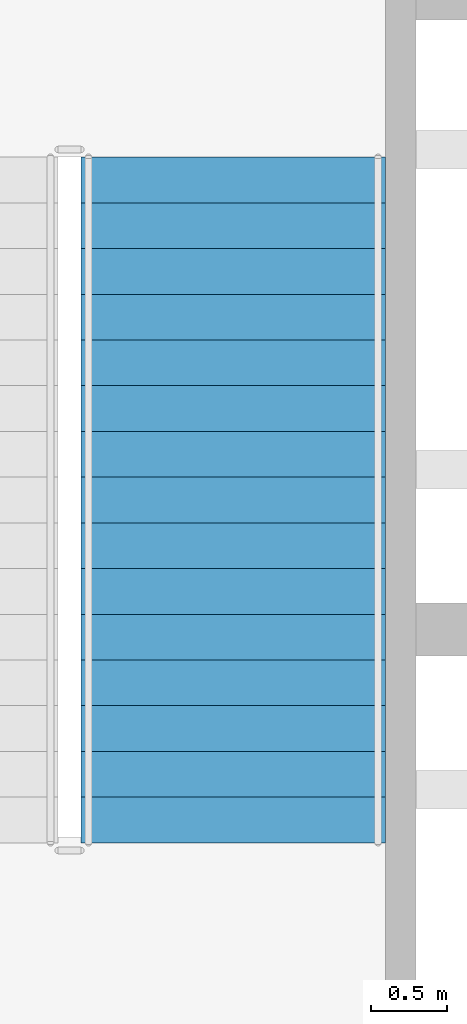
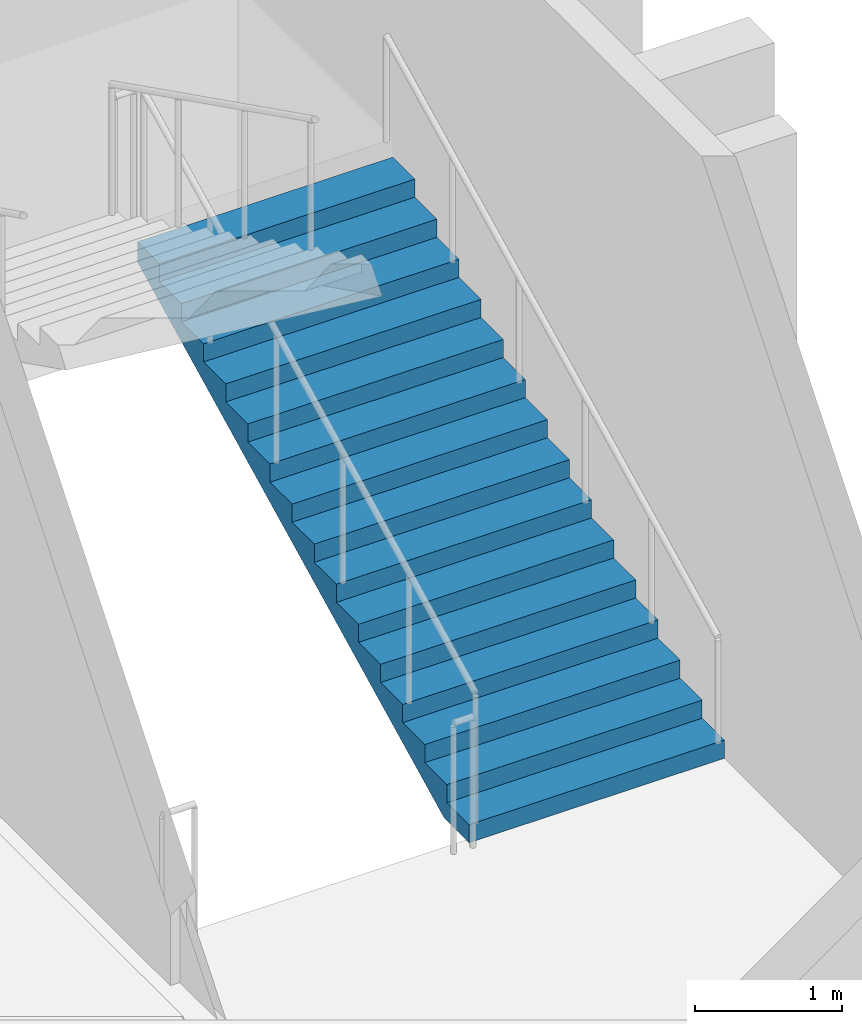
# One storey, part 57 of 91: 1 stair flight, 1 element without a shape of its own.
"""IFC4 building model written with IfcOpenShell, lengths in metres."""

from ifc_helpers import new_model, si_unit, direction, frame, origin, place, context, subcontext, project, spatial, faceted_brep, material, type_object, element, aggregate, save


model = new_model("IFC4")

# Units and contexts
model_context = context("Model", 3, precision=1e-05, world=origin(), true_north=direction((0.0, 1.0)))
body_context = subcontext(model_context, "Body", "Model", "MODEL_VIEW")
ifc_project = project(units=[si_unit("LENGTHUNIT", "METRE"), si_unit("AREAUNIT", "SQUARE_METRE"), si_unit("VOLUMEUNIT", "CUBIC_METRE"), si_unit("PLANEANGLEUNIT", "RADIAN"), si_unit("MASSUNIT", "GRAM", prefix="KILO")], contexts=[model_context])

# Site, building, storey
site_placement = place(None, origin())
site = spatial("IfcSite", under=ifc_project, at=site_placement, CompositionType="ELEMENT")
building_placement = place(site_placement, origin())
building = spatial("IfcBuilding", under=site, at=building_placement, Name="Kiln Court Media Centre", CompositionType="ELEMENT")
storey_placement = place(building_placement, frame((0.0, 0.0, 5.39990234375)))
storey = spatial("IfcBuildingStorey", under=building, at=storey_placement, Name="L01", CompositionType="ELEMENT", Elevation=5.39990234375)

# Stair, stair flight
ifc_material_1 = material(Name="Concrete C40/50", Category="concrete")
stair_type = type_object("IfcStairType", Name="Concrete C40/50 dog-leg stair 2000 wide, 150 riser", PredefinedType="HALF_TURN_STAIR", material=ifc_material_1)
stair_placement = place(storey_placement, origin())
stair = element("IfcStair", 1, at=stair_placement, inside=storey, type_object=stair_type, Name="ST-10 L01", PredefinedType="HALF_TURN_STAIR")
ifc_material_2 = material(Name="Concrete C40/50", Category="concrete")
stair_flight_type = type_object("IfcStairFlightType", Name="Concrete C40/50 stair flight 2000 wide, 150 riser, 300 going", PredefinedType="STRAIGHT", material=ifc_material_2)
stair_flight_placement = place(storey_placement, frame((99.60009765625, 28.0, 0.0), z_axis=(0.0, 0.0, 1.0), x_axis=(0.0, 1.0, 0.0)))
stair_flight = element("IfcStairFlight", 2, at=stair_flight_placement, type_object=stair_flight_type, Name="L01-ST-5009 flight 5018", NumberOfRisers=16, NumberOfTreads=15, PredefinedType="STRAIGHT", RiserHeight=0.15, TreadLength=0.3, context=body_context, shape_type="Brep", body=[
    faceted_brep([(0.335205078125, -1.0, 0.0), (4.5, -1.0, 2.08251953125), (4.5, -1.0, 2.25), (4.199951171875, -1.0, 2.25), (4.199951171875, -1.0, 2.10009765625), (3.89990234375, -1.0, 2.10009765625), (3.89990234375, -1.0, 1.949951171875), (3.60009765625, -1.0, 1.949951171875), (3.60009765625, -1.0, 1.800048828125), (3.300048828125, -1.0, 1.800048828125), (3.300048828125, -1.0, 1.64990234375), (3.0, -1.0, 1.64990234375), (3.0, -1.0, 1.5), (2.699951171875, -1.0, 1.5), (2.699951171875, -1.0, 1.35009765625), (2.39990234375, -1.0, 1.35009765625), (2.39990234375, -1.0, 1.199951171875), (2.10009765625, -1.0, 1.199951171875), (2.10009765625, -1.0, 1.050048828125), (1.800048828125, -1.0, 1.050048828125), (1.800048828125, -1.0, 0.89990234375), (1.5, -1.0, 0.89990234375), (1.5, -1.0, 0.75), (1.199951171875, -1.0, 0.75), (1.199951171875, -1.0, 0.60009765625), (0.89990234375, -1.0, 0.60009765625), (0.89990234375, -1.0, 0.449951171875), (0.60009765625, -1.0, 0.449951171875), (0.60009765625, -1.0, 0.300048828125), (0.300048828125, -1.0, 0.300048828125), (0.300048828125, -1.0, 0.14990234375), (0.0, -1.0, 0.14990234375), (0.0, -1.0, 0.0), (0.0, 1.0, 0.0), (0.0, 1.0, 0.14990234375), (0.300048828125, 1.0, 0.14990234375), (0.300048828125, 1.0, 0.300048828125), (0.60009765625, 1.0, 0.300048828125), (0.60009765625, 1.0, 0.449951171875), (0.89990234375, 1.0, 0.449951171875), (0.89990234375, 1.0, 0.60009765625), (1.199951171875, 1.0, 0.60009765625), (1.199951171875, 1.0, 0.75), (1.5, 1.0, 0.75), (1.5, 1.0, 0.89990234375), (1.800048828125, 1.0, 0.89990234375), (1.800048828125, 1.0, 1.050048828125), (2.10009765625, 1.0, 1.050048828125), (2.10009765625, 1.0, 1.199951171875), (2.39990234375, 1.0, 1.199951171875), (2.39990234375, 1.0, 1.35009765625), (2.699951171875, 1.0, 1.35009765625), (2.699951171875, 1.0, 1.5), (3.0, 1.0, 1.5), (3.0, 1.0, 1.64990234375), (3.300048828125, 1.0, 1.64990234375), (3.300048828125, 1.0, 1.800048828125), (3.60009765625, 1.0, 1.800048828125), (3.60009765625, 1.0, 1.949951171875), (3.89990234375, 1.0, 1.949951171875), (3.89990234375, 1.0, 2.10009765625), (4.199951171875, 1.0, 2.10009765625), (4.199951171875, 1.0, 2.25), (4.5, 1.0, 2.25), (4.5, 1.0, 2.08251953125), (0.335205078125, 1.0, 0.0), (4.5, 0.10009765625, 2.08251953125), (0.335205078125, 0.10009765625, 0.0), (4.5, 0.080078125, 2.08251953125), (0.335205078125, 0.080078125, 0.0), (4.5, 0.06005859375, 2.08251953125), (0.335205078125, 0.06005859375, 0.0), (4.5, 0.0400390625, 2.08251953125), (0.335205078125, 0.0400390625, 0.0), (4.5, 0.02001953125, 2.08251953125), (0.335205078125, 0.02001953125, 0.0), (4.5, 0.0, 2.08251953125), (0.335205078125, 0.0, 0.0), (4.5, -0.02001953125, 2.08251953125), (0.335205078125, -0.02001953125, 0.0), (4.5, -0.0400390625, 2.08251953125), (0.335205078125, -0.0400390625, 0.0), (4.5, -0.06005859375, 2.08251953125), (0.335205078125, -0.06005859375, 0.0), (4.5, -0.080078125, 2.08251953125), (0.335205078125, -0.080078125, 0.0), (4.5, -0.10009765625, 2.08251953125), (0.335205078125, -0.10009765625, 0.0), (4.5, 0.10009765625, 2.25), (4.5, 0.080078125, 2.25), (4.5, 0.06005859375, 2.25), (4.5, 0.0400390625, 2.25), (4.5, 0.02001953125, 2.25), (4.5, 0.0, 2.25), (4.5, -0.02001953125, 2.25), (4.5, -0.0400390625, 2.25), (4.5, -0.06005859375, 2.25), (4.5, -0.080078125, 2.25), (4.5, -0.10009765625, 2.25), (4.199951171875, 0.10009765625, 2.25), (4.199951171875, 0.080078125, 2.25), (4.199951171875, 0.06005859375, 2.25), (4.199951171875, 0.0400390625, 2.25), (4.199951171875, 0.02001953125, 2.25), (4.199951171875, 0.0, 2.25), (4.199951171875, -0.02001953125, 2.25), (4.199951171875, -0.0400390625, 2.25), (4.199951171875, -0.06005859375, 2.25), (4.199951171875, -0.080078125, 2.25), (4.199951171875, -0.10009765625, 2.25), (4.199951171875, 0.10009765625, 2.10009765625), (4.199951171875, 0.080078125, 2.10009765625), (4.199951171875, 0.06005859375, 2.10009765625), (4.199951171875, 0.0400390625, 2.10009765625), (4.199951171875, 0.02001953125, 2.10009765625), (4.199951171875, 0.0, 2.10009765625), (4.199951171875, -0.02001953125, 2.10009765625), (4.199951171875, -0.0400390625, 2.10009765625), (4.199951171875, -0.06005859375, 2.10009765625), (4.199951171875, -0.080078125, 2.10009765625), (4.199951171875, -0.10009765625, 2.10009765625), (3.89990234375, 0.10009765625, 2.10009765625), (3.89990234375, 0.080078125, 2.10009765625), (3.89990234375, 0.06005859375, 2.10009765625), (3.89990234375, 0.0400390625, 2.10009765625), (3.89990234375, 0.02001953125, 2.10009765625), (3.89990234375, 0.0, 2.10009765625), (3.89990234375, -0.02001953125, 2.10009765625), (3.89990234375, -0.0400390625, 2.10009765625), (3.89990234375, -0.06005859375, 2.10009765625), (3.89990234375, -0.080078125, 2.10009765625), (3.89990234375, -0.10009765625, 2.10009765625), (3.89990234375, 0.10009765625, 1.949951171875), (3.89990234375, 0.080078125, 1.949951171875), (3.89990234375, 0.06005859375, 1.949951171875), (3.89990234375, 0.0400390625, 1.949951171875), (3.89990234375, 0.02001953125, 1.949951171875), (3.89990234375, 0.0, 1.949951171875), (3.89990234375, -0.02001953125, 1.949951171875), (3.89990234375, -0.0400390625, 1.949951171875), (3.89990234375, -0.06005859375, 1.949951171875), (3.89990234375, -0.080078125, 1.949951171875), (3.89990234375, -0.10009765625, 1.949951171875), (3.60009765625, 0.10009765625, 1.949951171875), (3.60009765625, 0.080078125, 1.949951171875), (3.60009765625, 0.06005859375, 1.949951171875), (3.60009765625, 0.0400390625, 1.949951171875), (3.60009765625, 0.02001953125, 1.949951171875), (3.60009765625, 0.0, 1.949951171875), (3.60009765625, -0.02001953125, 1.949951171875), (3.60009765625, -0.0400390625, 1.949951171875), (3.60009765625, -0.06005859375, 1.949951171875), (3.60009765625, -0.080078125, 1.949951171875), (3.60009765625, -0.10009765625, 1.949951171875), (3.60009765625, 0.10009765625, 1.800048828125), (3.60009765625, 0.080078125, 1.800048828125), (3.60009765625, 0.06005859375, 1.800048828125), (3.60009765625, 0.0400390625, 1.800048828125), (3.60009765625, 0.02001953125, 1.800048828125), (3.60009765625, 0.0, 1.800048828125), (3.60009765625, -0.02001953125, 1.800048828125), (3.60009765625, -0.0400390625, 1.800048828125), (3.60009765625, -0.06005859375, 1.800048828125), (3.60009765625, -0.080078125, 1.800048828125), (3.60009765625, -0.10009765625, 1.800048828125), (3.300048828125, 0.10009765625, 1.800048828125), (3.300048828125, 0.080078125, 1.800048828125), (3.300048828125, 0.06005859375, 1.800048828125), (3.300048828125, 0.0400390625, 1.800048828125), (3.300048828125, 0.02001953125, 1.800048828125), (3.300048828125, 0.0, 1.800048828125), (3.300048828125, -0.02001953125, 1.800048828125), (3.300048828125, -0.0400390625, 1.800048828125), (3.300048828125, -0.06005859375, 1.800048828125), (3.300048828125, -0.080078125, 1.800048828125), (3.300048828125, -0.10009765625, 1.800048828125), (3.300048828125, 0.10009765625, 1.64990234375), (3.300048828125, 0.080078125, 1.64990234375), (3.300048828125, 0.06005859375, 1.64990234375), (3.300048828125, 0.0400390625, 1.64990234375), (3.300048828125, 0.02001953125, 1.64990234375), (3.300048828125, 0.0, 1.64990234375), (3.300048828125, -0.02001953125, 1.64990234375), (3.300048828125, -0.0400390625, 1.64990234375), (3.300048828125, -0.06005859375, 1.64990234375), (3.300048828125, -0.080078125, 1.64990234375), (3.300048828125, -0.10009765625, 1.64990234375), (3.0, 0.10009765625, 1.64990234375), (3.0, 0.080078125, 1.64990234375), (3.0, 0.06005859375, 1.64990234375), (3.0, 0.0400390625, 1.64990234375), (3.0, 0.02001953125, 1.64990234375), (3.0, 0.0, 1.64990234375), (3.0, -0.02001953125, 1.64990234375), (3.0, -0.0400390625, 1.64990234375), (3.0, -0.06005859375, 1.64990234375), (3.0, -0.080078125, 1.64990234375), (3.0, -0.10009765625, 1.64990234375), (3.0, 0.10009765625, 1.5), (3.0, 0.080078125, 1.5), (3.0, 0.06005859375, 1.5), (3.0, 0.0400390625, 1.5), (3.0, 0.02001953125, 1.5), (3.0, 0.0, 1.5), (3.0, -0.02001953125, 1.5), (3.0, -0.0400390625, 1.5), (3.0, -0.06005859375, 1.5), (3.0, -0.080078125, 1.5), (3.0, -0.10009765625, 1.5), (2.699951171875, 0.10009765625, 1.5), (2.699951171875, 0.080078125, 1.5), (2.699951171875, 0.06005859375, 1.5), (2.699951171875, 0.0400390625, 1.5), (2.699951171875, 0.02001953125, 1.5), (2.699951171875, 0.0, 1.5), (2.699951171875, -0.02001953125, 1.5), (2.699951171875, -0.0400390625, 1.5), (2.699951171875, -0.06005859375, 1.5), (2.699951171875, -0.080078125, 1.5), (2.699951171875, -0.10009765625, 1.5), (2.699951171875, 0.10009765625, 1.35009765625), (2.699951171875, 0.080078125, 1.35009765625), (2.699951171875, 0.06005859375, 1.35009765625), (2.699951171875, 0.0400390625, 1.35009765625), (2.699951171875, 0.02001953125, 1.35009765625), (2.699951171875, 0.0, 1.35009765625), (2.699951171875, -0.02001953125, 1.35009765625), (2.699951171875, -0.0400390625, 1.35009765625), (2.699951171875, -0.06005859375, 1.35009765625), (2.699951171875, -0.080078125, 1.35009765625), (2.699951171875, -0.10009765625, 1.35009765625), (2.39990234375, 0.10009765625, 1.35009765625), (2.39990234375, 0.080078125, 1.35009765625), (2.39990234375, 0.06005859375, 1.35009765625), (2.39990234375, 0.0400390625, 1.35009765625), (2.39990234375, 0.02001953125, 1.35009765625), (2.39990234375, 0.0, 1.35009765625), (2.39990234375, -0.02001953125, 1.35009765625), (2.39990234375, -0.0400390625, 1.35009765625), (2.39990234375, -0.06005859375, 1.35009765625), (2.39990234375, -0.080078125, 1.35009765625), (2.39990234375, -0.10009765625, 1.35009765625), (2.39990234375, 0.10009765625, 1.199951171875), (2.39990234375, 0.080078125, 1.199951171875), (2.39990234375, 0.06005859375, 1.199951171875), (2.39990234375, 0.0400390625, 1.199951171875), (2.39990234375, 0.02001953125, 1.199951171875), (2.39990234375, 0.0, 1.199951171875), (2.39990234375, -0.02001953125, 1.199951171875), (2.39990234375, -0.0400390625, 1.199951171875), (2.39990234375, -0.06005859375, 1.199951171875), (2.39990234375, -0.080078125, 1.199951171875), (2.39990234375, -0.10009765625, 1.199951171875), (2.10009765625, 0.10009765625, 1.199951171875), (2.10009765625, 0.080078125, 1.199951171875), (2.10009765625, 0.06005859375, 1.199951171875), (2.10009765625, 0.0400390625, 1.199951171875), (2.10009765625, 0.02001953125, 1.199951171875), (2.10009765625, 0.0, 1.199951171875), (2.10009765625, -0.02001953125, 1.199951171875), (2.10009765625, -0.0400390625, 1.199951171875), (2.10009765625, -0.06005859375, 1.199951171875), (2.10009765625, -0.080078125, 1.199951171875), (2.10009765625, -0.10009765625, 1.199951171875), (2.10009765625, 0.10009765625, 1.050048828125), (2.10009765625, 0.080078125, 1.050048828125), (2.10009765625, 0.06005859375, 1.050048828125), (2.10009765625, 0.0400390625, 1.050048828125), (2.10009765625, 0.02001953125, 1.050048828125), (2.10009765625, 0.0, 1.050048828125), (2.10009765625, -0.02001953125, 1.050048828125), (2.10009765625, -0.0400390625, 1.050048828125), (2.10009765625, -0.06005859375, 1.050048828125), (2.10009765625, -0.080078125, 1.050048828125), (2.10009765625, -0.10009765625, 1.050048828125), (1.800048828125, 0.10009765625, 1.050048828125), (1.800048828125, 0.080078125, 1.050048828125), (1.800048828125, 0.06005859375, 1.050048828125), (1.800048828125, 0.0400390625, 1.050048828125), (1.800048828125, 0.02001953125, 1.050048828125), (1.800048828125, 0.0, 1.050048828125), (1.800048828125, -0.02001953125, 1.050048828125), (1.800048828125, -0.0400390625, 1.050048828125), (1.800048828125, -0.06005859375, 1.050048828125), (1.800048828125, -0.080078125, 1.050048828125), (1.800048828125, -0.10009765625, 1.050048828125), (1.800048828125, 0.10009765625, 0.89990234375), (1.800048828125, 0.080078125, 0.89990234375), (1.800048828125, 0.06005859375, 0.89990234375), (1.800048828125, 0.0400390625, 0.89990234375), (1.800048828125, 0.02001953125, 0.89990234375), (1.800048828125, 0.0, 0.89990234375), (1.800048828125, -0.02001953125, 0.89990234375), (1.800048828125, -0.0400390625, 0.89990234375), (1.800048828125, -0.06005859375, 0.89990234375), (1.800048828125, -0.080078125, 0.89990234375), (1.800048828125, -0.10009765625, 0.89990234375), (1.5, 0.10009765625, 0.89990234375), (1.5, 0.080078125, 0.89990234375), (1.5, 0.06005859375, 0.89990234375), (1.5, 0.0400390625, 0.89990234375), (1.5, 0.02001953125, 0.89990234375), (1.5, 0.0, 0.89990234375), (1.5, -0.02001953125, 0.89990234375), (1.5, -0.0400390625, 0.89990234375), (1.5, -0.06005859375, 0.89990234375), (1.5, -0.080078125, 0.89990234375), (1.5, -0.10009765625, 0.89990234375), (1.5, 0.10009765625, 0.75), (1.5, 0.080078125, 0.75), (1.5, 0.06005859375, 0.75), (1.5, 0.0400390625, 0.75), (1.5, 0.02001953125, 0.75), (1.5, 0.0, 0.75), (1.5, -0.02001953125, 0.75), (1.5, -0.0400390625, 0.75), (1.5, -0.06005859375, 0.75), (1.5, -0.080078125, 0.75), (1.5, -0.10009765625, 0.75), (1.199951171875, 0.10009765625, 0.75), (1.199951171875, 0.080078125, 0.75), (1.199951171875, 0.06005859375, 0.75), (1.199951171875, 0.0400390625, 0.75), (1.199951171875, 0.02001953125, 0.75), (1.199951171875, 0.0, 0.75), (1.199951171875, -0.02001953125, 0.75), (1.199951171875, -0.0400390625, 0.75), (1.199951171875, -0.06005859375, 0.75), (1.199951171875, -0.080078125, 0.75), (1.199951171875, -0.10009765625, 0.75), (1.199951171875, 0.10009765625, 0.60009765625), (1.199951171875, 0.080078125, 0.60009765625), (1.199951171875, 0.06005859375, 0.60009765625), (1.199951171875, 0.0400390625, 0.60009765625), (1.199951171875, 0.02001953125, 0.60009765625), (1.199951171875, 0.0, 0.60009765625), (1.199951171875, -0.02001953125, 0.60009765625), (1.199951171875, -0.0400390625, 0.60009765625), (1.199951171875, -0.06005859375, 0.60009765625), (1.199951171875, -0.080078125, 0.60009765625), (1.199951171875, -0.10009765625, 0.60009765625), (0.89990234375, 0.10009765625, 0.60009765625), (0.89990234375, 0.080078125, 0.60009765625), (0.89990234375, 0.06005859375, 0.60009765625), (0.89990234375, 0.0400390625, 0.60009765625), (0.89990234375, 0.02001953125, 0.60009765625), (0.89990234375, 0.0, 0.60009765625), (0.89990234375, -0.02001953125, 0.60009765625), (0.89990234375, -0.0400390625, 0.60009765625), (0.89990234375, -0.06005859375, 0.60009765625), (0.89990234375, -0.080078125, 0.60009765625), (0.89990234375, -0.10009765625, 0.60009765625), (0.89990234375, 0.10009765625, 0.449951171875), (0.89990234375, 0.080078125, 0.449951171875), (0.89990234375, 0.06005859375, 0.449951171875), (0.89990234375, 0.0400390625, 0.449951171875), (0.89990234375, 0.02001953125, 0.449951171875), (0.89990234375, 0.0, 0.449951171875), (0.89990234375, -0.02001953125, 0.449951171875), (0.89990234375, -0.0400390625, 0.449951171875), (0.89990234375, -0.06005859375, 0.449951171875), (0.89990234375, -0.080078125, 0.449951171875), (0.89990234375, -0.10009765625, 0.449951171875), (0.60009765625, 0.10009765625, 0.449951171875), (0.60009765625, 0.080078125, 0.449951171875), (0.60009765625, 0.06005859375, 0.449951171875), (0.60009765625, 0.0400390625, 0.449951171875), (0.60009765625, 0.02001953125, 0.449951171875), (0.60009765625, 0.0, 0.449951171875), (0.60009765625, -0.02001953125, 0.449951171875), (0.60009765625, -0.0400390625, 0.449951171875), (0.60009765625, -0.06005859375, 0.449951171875), (0.60009765625, -0.080078125, 0.449951171875), (0.60009765625, -0.10009765625, 0.449951171875), (0.60009765625, 0.10009765625, 0.300048828125), (0.60009765625, 0.080078125, 0.300048828125), (0.60009765625, 0.06005859375, 0.300048828125), (0.60009765625, 0.0400390625, 0.300048828125), (0.60009765625, 0.02001953125, 0.300048828125), (0.60009765625, 0.0, 0.300048828125), (0.60009765625, -0.02001953125, 0.300048828125), (0.60009765625, -0.0400390625, 0.300048828125), (0.60009765625, -0.06005859375, 0.300048828125), (0.60009765625, -0.080078125, 0.300048828125), (0.60009765625, -0.10009765625, 0.300048828125), (0.300048828125, 0.10009765625, 0.300048828125), (0.300048828125, 0.080078125, 0.300048828125), (0.300048828125, 0.06005859375, 0.300048828125), (0.300048828125, 0.0400390625, 0.300048828125), (0.300048828125, 0.02001953125, 0.300048828125), (0.300048828125, 0.0, 0.300048828125), (0.300048828125, -0.02001953125, 0.300048828125), (0.300048828125, -0.0400390625, 0.300048828125), (0.300048828125, -0.06005859375, 0.300048828125), (0.300048828125, -0.080078125, 0.300048828125), (0.300048828125, -0.10009765625, 0.300048828125), (0.300048828125, 0.10009765625, 0.14990234375), (0.300048828125, 0.080078125, 0.14990234375), (0.300048828125, 0.06005859375, 0.14990234375), (0.300048828125, 0.0400390625, 0.14990234375), (0.300048828125, 0.02001953125, 0.14990234375), (0.300048828125, 0.0, 0.14990234375), (0.300048828125, -0.02001953125, 0.14990234375), (0.300048828125, -0.0400390625, 0.14990234375), (0.300048828125, -0.06005859375, 0.14990234375), (0.300048828125, -0.080078125, 0.14990234375), (0.300048828125, -0.10009765625, 0.14990234375), (0.0, 0.10009765625, 0.14990234375), (0.0, 0.080078125, 0.14990234375), (0.0, 0.06005859375, 0.14990234375), (0.0, 0.0400390625, 0.14990234375), (0.0, 0.02001953125, 0.14990234375), (0.0, 0.0, 0.14990234375), (0.0, -0.02001953125, 0.14990234375), (0.0, -0.0400390625, 0.14990234375), (0.0, -0.06005859375, 0.14990234375), (0.0, -0.080078125, 0.14990234375), (0.0, -0.10009765625, 0.14990234375), (0.0, 0.10009765625, 0.0), (0.0, 0.080078125, 0.0), (0.0, 0.06005859375, 0.0), (0.0, 0.0400390625, 0.0), (0.0, 0.02001953125, 0.0), (0.0, 0.0, 0.0), (0.0, -0.02001953125, 0.0), (0.0, -0.0400390625, 0.0), (0.0, -0.06005859375, 0.0), (0.0, -0.080078125, 0.0), (0.0, -0.10009765625, 0.0)], [[[0, 1, 2, 3, 4, 5, 6, 7, 8, 9, 10, 11, 12, 13, 14, 15, 16, 17, 18, 19, 20, 21, 22, 23, 24, 25, 26, 27, 28, 29, 30, 31, 32]], [[33, 34, 35, 36, 37, 38, 39, 40, 41, 42, 43, 44, 45, 46, 47, 48, 49, 50, 51, 52, 53, 54, 55, 56, 57, 58, 59, 60, 61, 62, 63, 64, 65]], [[65, 64, 66, 67]], [[67, 66, 68, 69]], [[69, 68, 70, 71]], [[71, 70, 72, 73]], [[73, 72, 74, 75]], [[75, 74, 76, 77]], [[77, 76, 78, 79]], [[79, 78, 80, 81]], [[81, 80, 82, 83]], [[83, 82, 84, 85]], [[85, 84, 86, 87]], [[87, 86, 1, 0]], [[64, 63, 88, 66]], [[66, 88, 89, 68]], [[68, 89, 90, 70]], [[70, 90, 91, 72]], [[72, 91, 92, 74]], [[74, 92, 93, 76]], [[76, 93, 94, 78]], [[78, 94, 95, 80]], [[80, 95, 96, 82]], [[82, 96, 97, 84]], [[84, 97, 98, 86]], [[86, 98, 2, 1]], [[63, 62, 99, 88]], [[88, 99, 100, 89]], [[89, 100, 101, 90]], [[90, 101, 102, 91]], [[91, 102, 103, 92]], [[92, 103, 104, 93]], [[93, 104, 105, 94]], [[94, 105, 106, 95]], [[95, 106, 107, 96]], [[96, 107, 108, 97]], [[97, 108, 109, 98]], [[98, 109, 3, 2]], [[62, 61, 110, 99]], [[99, 110, 111, 100]], [[100, 111, 112, 101]], [[101, 112, 113, 102]], [[102, 113, 114, 103]], [[103, 114, 115, 104]], [[104, 115, 116, 105]], [[105, 116, 117, 106]], [[106, 117, 118, 107]], [[107, 118, 119, 108]], [[108, 119, 120, 109]], [[109, 120, 4, 3]], [[61, 60, 121, 110]], [[110, 121, 122, 111]], [[111, 122, 123, 112]], [[112, 123, 124, 113]], [[113, 124, 125, 114]], [[114, 125, 126, 115]], [[115, 126, 127, 116]], [[116, 127, 128, 117]], [[117, 128, 129, 118]], [[118, 129, 130, 119]], [[119, 130, 131, 120]], [[120, 131, 5, 4]], [[60, 59, 132, 121]], [[121, 132, 133, 122]], [[122, 133, 134, 123]], [[123, 134, 135, 124]], [[124, 135, 136, 125]], [[125, 136, 137, 126]], [[126, 137, 138, 127]], [[127, 138, 139, 128]], [[128, 139, 140, 129]], [[129, 140, 141, 130]], [[130, 141, 142, 131]], [[131, 142, 6, 5]], [[59, 58, 143, 132]], [[132, 143, 144, 133]], [[133, 144, 145, 134]], [[134, 145, 146, 135]], [[135, 146, 147, 136]], [[136, 147, 148, 137]], [[137, 148, 149, 138]], [[138, 149, 150, 139]], [[139, 150, 151, 140]], [[140, 151, 152, 141]], [[141, 152, 153, 142]], [[142, 153, 7, 6]], [[58, 57, 154, 143]], [[143, 154, 155, 144]], [[144, 155, 156, 145]], [[145, 156, 157, 146]], [[146, 157, 158, 147]], [[147, 158, 159, 148]], [[148, 159, 160, 149]], [[149, 160, 161, 150]], [[150, 161, 162, 151]], [[151, 162, 163, 152]], [[152, 163, 164, 153]], [[153, 164, 8, 7]], [[57, 56, 165, 154]], [[154, 165, 166, 155]], [[155, 166, 167, 156]], [[156, 167, 168, 157]], [[157, 168, 169, 158]], [[158, 169, 170, 159]], [[159, 170, 171, 160]], [[160, 171, 172, 161]], [[161, 172, 173, 162]], [[162, 173, 174, 163]], [[163, 174, 175, 164]], [[164, 175, 9, 8]], [[56, 55, 176, 165]], [[165, 176, 177, 166]], [[166, 177, 178, 167]], [[167, 178, 179, 168]], [[168, 179, 180, 169]], [[169, 180, 181, 170]], [[170, 181, 182, 171]], [[171, 182, 183, 172]], [[172, 183, 184, 173]], [[173, 184, 185, 174]], [[174, 185, 186, 175]], [[175, 186, 10, 9]], [[55, 54, 187, 176]], [[176, 187, 188, 177]], [[177, 188, 189, 178]], [[178, 189, 190, 179]], [[179, 190, 191, 180]], [[180, 191, 192, 181]], [[181, 192, 193, 182]], [[182, 193, 194, 183]], [[183, 194, 195, 184]], [[184, 195, 196, 185]], [[185, 196, 197, 186]], [[186, 197, 11, 10]], [[54, 53, 198, 187]], [[187, 198, 199, 188]], [[188, 199, 200, 189]], [[189, 200, 201, 190]], [[190, 201, 202, 191]], [[191, 202, 203, 192]], [[192, 203, 204, 193]], [[193, 204, 205, 194]], [[194, 205, 206, 195]], [[195, 206, 207, 196]], [[196, 207, 208, 197]], [[197, 208, 12, 11]], [[53, 52, 209, 198]], [[198, 209, 210, 199]], [[199, 210, 211, 200]], [[200, 211, 212, 201]], [[201, 212, 213, 202]], [[202, 213, 214, 203]], [[203, 214, 215, 204]], [[204, 215, 216, 205]], [[205, 216, 217, 206]], [[206, 217, 218, 207]], [[207, 218, 219, 208]], [[208, 219, 13, 12]], [[52, 51, 220, 209]], [[209, 220, 221, 210]], [[210, 221, 222, 211]], [[211, 222, 223, 212]], [[212, 223, 224, 213]], [[213, 224, 225, 214]], [[214, 225, 226, 215]], [[215, 226, 227, 216]], [[216, 227, 228, 217]], [[217, 228, 229, 218]], [[218, 229, 230, 219]], [[219, 230, 14, 13]], [[51, 50, 231, 220]], [[220, 231, 232, 221]], [[221, 232, 233, 222]], [[222, 233, 234, 223]], [[223, 234, 235, 224]], [[224, 235, 236, 225]], [[225, 236, 237, 226]], [[226, 237, 238, 227]], [[227, 238, 239, 228]], [[228, 239, 240, 229]], [[229, 240, 241, 230]], [[230, 241, 15, 14]], [[50, 49, 242, 231]], [[231, 242, 243, 232]], [[232, 243, 244, 233]], [[233, 244, 245, 234]], [[234, 245, 246, 235]], [[235, 246, 247, 236]], [[236, 247, 248, 237]], [[237, 248, 249, 238]], [[238, 249, 250, 239]], [[239, 250, 251, 240]], [[240, 251, 252, 241]], [[241, 252, 16, 15]], [[49, 48, 253, 242]], [[242, 253, 254, 243]], [[243, 254, 255, 244]], [[244, 255, 256, 245]], [[245, 256, 257, 246]], [[246, 257, 258, 247]], [[247, 258, 259, 248]], [[248, 259, 260, 249]], [[249, 260, 261, 250]], [[250, 261, 262, 251]], [[251, 262, 263, 252]], [[252, 263, 17, 16]], [[48, 47, 264, 253]], [[253, 264, 265, 254]], [[254, 265, 266, 255]], [[255, 266, 267, 256]], [[256, 267, 268, 257]], [[257, 268, 269, 258]], [[258, 269, 270, 259]], [[259, 270, 271, 260]], [[260, 271, 272, 261]], [[261, 272, 273, 262]], [[262, 273, 274, 263]], [[263, 274, 18, 17]], [[47, 46, 275, 264]], [[264, 275, 276, 265]], [[265, 276, 277, 266]], [[266, 277, 278, 267]], [[267, 278, 279, 268]], [[268, 279, 280, 269]], [[269, 280, 281, 270]], [[270, 281, 282, 271]], [[271, 282, 283, 272]], [[272, 283, 284, 273]], [[273, 284, 285, 274]], [[274, 285, 19, 18]], [[46, 45, 286, 275]], [[275, 286, 287, 276]], [[276, 287, 288, 277]], [[277, 288, 289, 278]], [[278, 289, 290, 279]], [[279, 290, 291, 280]], [[280, 291, 292, 281]], [[281, 292, 293, 282]], [[282, 293, 294, 283]], [[283, 294, 295, 284]], [[284, 295, 296, 285]], [[285, 296, 20, 19]], [[45, 44, 297, 286]], [[286, 297, 298, 287]], [[287, 298, 299, 288]], [[288, 299, 300, 289]], [[289, 300, 301, 290]], [[290, 301, 302, 291]], [[291, 302, 303, 292]], [[292, 303, 304, 293]], [[293, 304, 305, 294]], [[294, 305, 306, 295]], [[295, 306, 307, 296]], [[296, 307, 21, 20]], [[44, 43, 308, 297]], [[297, 308, 309, 298]], [[298, 309, 310, 299]], [[299, 310, 311, 300]], [[300, 311, 312, 301]], [[301, 312, 313, 302]], [[302, 313, 314, 303]], [[303, 314, 315, 304]], [[304, 315, 316, 305]], [[305, 316, 317, 306]], [[306, 317, 318, 307]], [[307, 318, 22, 21]], [[43, 42, 319, 308]], [[308, 319, 320, 309]], [[309, 320, 321, 310]], [[310, 321, 322, 311]], [[311, 322, 323, 312]], [[312, 323, 324, 313]], [[313, 324, 325, 314]], [[314, 325, 326, 315]], [[315, 326, 327, 316]], [[316, 327, 328, 317]], [[317, 328, 329, 318]], [[318, 329, 23, 22]], [[42, 41, 330, 319]], [[319, 330, 331, 320]], [[320, 331, 332, 321]], [[321, 332, 333, 322]], [[322, 333, 334, 323]], [[323, 334, 335, 324]], [[324, 335, 336, 325]], [[325, 336, 337, 326]], [[326, 337, 338, 327]], [[327, 338, 339, 328]], [[328, 339, 340, 329]], [[329, 340, 24, 23]], [[41, 40, 341, 330]], [[330, 341, 342, 331]], [[331, 342, 343, 332]], [[332, 343, 344, 333]], [[333, 344, 345, 334]], [[334, 345, 346, 335]], [[335, 346, 347, 336]], [[336, 347, 348, 337]], [[337, 348, 349, 338]], [[338, 349, 350, 339]], [[339, 350, 351, 340]], [[340, 351, 25, 24]], [[40, 39, 352, 341]], [[341, 352, 353, 342]], [[342, 353, 354, 343]], [[343, 354, 355, 344]], [[344, 355, 356, 345]], [[345, 356, 357, 346]], [[346, 357, 358, 347]], [[347, 358, 359, 348]], [[348, 359, 360, 349]], [[349, 360, 361, 350]], [[350, 361, 362, 351]], [[351, 362, 26, 25]], [[39, 38, 363, 352]], [[352, 363, 364, 353]], [[353, 364, 365, 354]], [[354, 365, 366, 355]], [[355, 366, 367, 356]], [[356, 367, 368, 357]], [[357, 368, 369, 358]], [[358, 369, 370, 359]], [[359, 370, 371, 360]], [[360, 371, 372, 361]], [[361, 372, 373, 362]], [[362, 373, 27, 26]], [[38, 37, 374, 363]], [[363, 374, 375, 364]], [[364, 375, 376, 365]], [[365, 376, 377, 366]], [[366, 377, 378, 367]], [[367, 378, 379, 368]], [[368, 379, 380, 369]], [[369, 380, 381, 370]], [[370, 381, 382, 371]], [[371, 382, 383, 372]], [[372, 383, 384, 373]], [[373, 384, 28, 27]], [[37, 36, 385, 374]], [[374, 385, 386, 375]], [[375, 386, 387, 376]], [[376, 387, 388, 377]], [[377, 388, 389, 378]], [[378, 389, 390, 379]], [[379, 390, 391, 380]], [[380, 391, 392, 381]], [[381, 392, 393, 382]], [[382, 393, 394, 383]], [[383, 394, 395, 384]], [[384, 395, 29, 28]], [[36, 35, 396, 385]], [[385, 396, 397, 386]], [[386, 397, 398, 387]], [[387, 398, 399, 388]], [[388, 399, 400, 389]], [[389, 400, 401, 390]], [[390, 401, 402, 391]], [[391, 402, 403, 392]], [[392, 403, 404, 393]], [[393, 404, 405, 394]], [[394, 405, 406, 395]], [[395, 406, 30, 29]], [[35, 34, 407, 396]], [[396, 407, 408, 397]], [[397, 408, 409, 398]], [[398, 409, 410, 399]], [[399, 410, 411, 400]], [[400, 411, 412, 401]], [[401, 412, 413, 402]], [[402, 413, 414, 403]], [[403, 414, 415, 404]], [[404, 415, 416, 405]], [[405, 416, 417, 406]], [[406, 417, 31, 30]], [[34, 33, 418, 407]], [[407, 418, 419, 408]], [[408, 419, 420, 409]], [[409, 420, 421, 410]], [[410, 421, 422, 411]], [[411, 422, 423, 412]], [[412, 423, 424, 413]], [[413, 424, 425, 414]], [[414, 425, 426, 415]], [[415, 426, 427, 416]], [[416, 427, 428, 417]], [[417, 428, 32, 31]], [[33, 65, 67, 418]], [[418, 67, 69, 419]], [[419, 69, 71, 420]], [[420, 71, 73, 421]], [[421, 73, 75, 422]], [[422, 75, 77, 423]], [[423, 77, 79, 424]], [[424, 79, 81, 425]], [[425, 81, 83, 426]], [[426, 83, 85, 427]], [[427, 85, 87, 428]], [[428, 87, 0, 32]]]),
])
aggregate(stair, [stair_flight])

save(model, "model.ifc")
